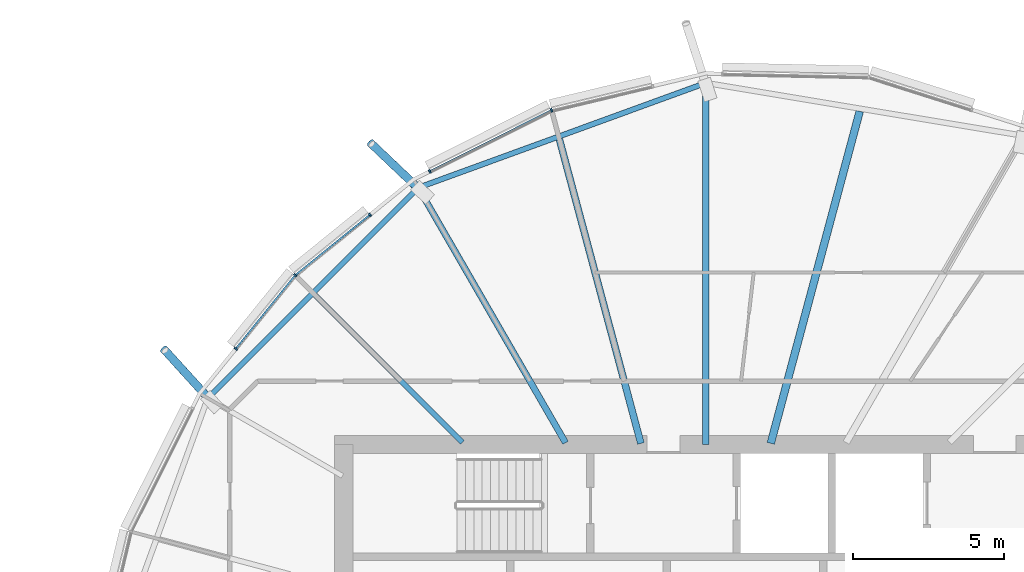
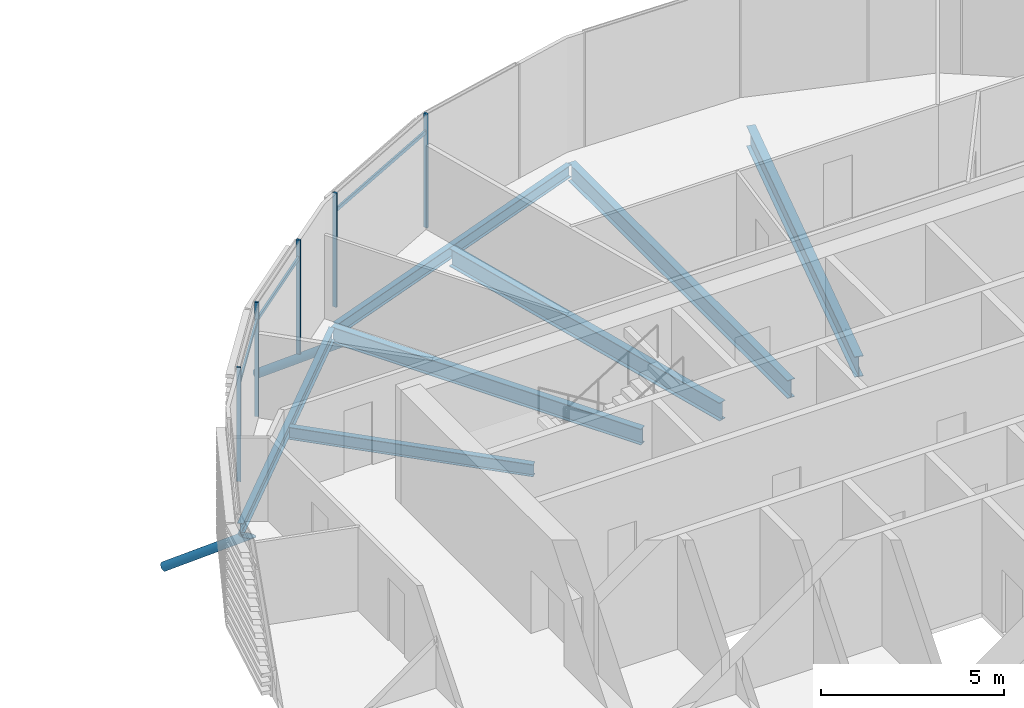
# One storey, part 15 of 35: 10 members, 7 beams, 1 element without a shape of its own.
"""IFC4 building model written with IfcOpenShell, lengths in metres."""

import ifcopenshell
import ifcopenshell.guid

model = None  # the IFC model being written
_history = None  # IfcOwnerHistory: only IFC2X3 demands one
_inside = {}  # id of a spatial element -> (the spatial element, [elements in it])
_under = {}  # id of a project, library or spatial element -> (it, [spatial elements below it])
_declared = {}  # id of a project -> (the project, [libraries it declares])
_typed = {}  # id of a type object -> (the type object, [elements of that type])
_made_of = {}  # id of a material, layer set ... -> (it, [elements and type objects made of it])


def new_model(schema):
    """Start an empty IFC model of exactly this schema.

    Asked for "IFC4X3", IfcOpenShell would pick the latest addendum, in which some entities
    have other attributes; the version numbers below select the first issue.
    IFC2X3 requires an IfcOwnerHistory on every rooted entity: one is made here for all.
    """
    global model, _history
    if schema == "IFC4X3":
        model = ifcopenshell.file(schema_version=(4, 3, 0, 0))
    else:
        model = ifcopenshell.file(schema=schema)
    _inside.clear()
    _under.clear()
    _declared.clear()
    _typed.clear()
    _made_of.clear()
    _history = None
    if model.schema == "IFC2X3":
        org = make("IfcOrganization", Name="unknown")
        user = make(
            "IfcPersonAndOrganization",
            ThePerson=make("IfcPerson", FamilyName="unknown"),
            TheOrganization=org,
        )
        app = make(
            "IfcApplication",
            ApplicationDeveloper=org,
            Version="unknown",
            ApplicationFullName="unknown",
            ApplicationIdentifier="unknown",
        )
        _history = make(
            "IfcOwnerHistory",
            OwningUser=user,
            OwningApplication=app,
            ChangeAction="ADDED",
            CreationDate=0,
        )
    return model


def make(cls, **values):
    """One entity of the class cls with the attributes given. An attribute that is None is left unset."""
    return model.create_entity(
        cls, **{name: value for name, value in values.items() if value is not None}
    )


def rooted(cls, **values):
    """An entity with a GlobalId (a new one), such as an element, a storey or a relation."""
    return make(cls, GlobalId=ifcopenshell.guid.new(), OwnerHistory=_history, **values)


def si_unit(unit_type, name, prefix=None):
    """IfcSIUnit, for example si_unit("LENGTHUNIT", "METRE", prefix="MILLI")."""
    return make("IfcSIUnit", UnitType=unit_type, Prefix=prefix, Name=name)


def assignment(units):
    """IfcUnitAssignment: the units of a project."""
    return None if units is None else make("IfcUnitAssignment", Units=units)


def point(xyz):
    """IfcCartesianPoint."""
    return None if xyz is None else make("IfcCartesianPoint", Coordinates=xyz)


def direction(xyz):
    """IfcDirection."""
    return None if xyz is None else make("IfcDirection", DirectionRatios=xyz)


def frame(location, z_axis=None, x_axis=None):
    """IfcAxis2Placement3D, a coordinate frame: its origin and axes. An axis left out is left unset."""
    return make(
        "IfcAxis2Placement3D",
        Location=point(location),
        Axis=direction(z_axis),
        RefDirection=direction(x_axis),
    )


def frame_2d(location, x_axis=None):
    """IfcAxis2Placement2D, a coordinate frame in the plane: its origin and x axis."""
    return make(
        "IfcAxis2Placement2D", Location=point(location), RefDirection=direction(x_axis)
    )


def origin():
    """The frame at (0, 0, 0) with its axes left unset."""
    return frame((0.0, 0.0, 0.0))


def origin_2d():
    """The frame at (0, 0) in the plane with its x axis left unset."""
    return frame_2d((0.0, 0.0))


def place(relative_to, where):
    """IfcLocalPlacement: puts the frame where relative to a parent placement (None: the world)."""
    return make(
        "IfcLocalPlacement", PlacementRelTo=relative_to, RelativePlacement=where
    )


def context(
    kind, dimensions, precision=None, world=None, true_north=None, identifier=None
):
    """IfcGeometricRepresentationContext, for example the 3D "Model" context."""
    return make(
        "IfcGeometricRepresentationContext",
        ContextIdentifier=identifier,
        ContextType=kind,
        CoordinateSpaceDimension=dimensions,
        Precision=precision,
        WorldCoordinateSystem=world,
        TrueNorth=true_north,
    )


def subcontext(parent, identifier, kind, view, scale=None):
    """IfcGeometricRepresentationSubContext, for example "Body" below "Model"."""
    return make(
        "IfcGeometricRepresentationSubContext",
        ContextIdentifier=identifier,
        ContextType=kind,
        ParentContext=parent,
        TargetScale=scale,
        TargetView=view,
    )


def project(units=None, contexts=None):
    """IfcProject with its units and contexts."""
    return rooted(
        "IfcProject",
        Name="project",
        RepresentationContexts=contexts,
        UnitsInContext=assignment(units),
    )


def spatial(cls, under=None, at=None, **own):
    """A site, building, storey or space (cls), placed at a placement, below another one or the project."""
    s = rooted(cls, ObjectPlacement=at, **own)
    if under is not None:
        _under.setdefault(under.id(), (under, []))[1].append(s)
    return s


def profile(cls, at=None, kind="AREA", **sizes):
    """A parametric profile (cls). Its sizes go by their IFC names, for example OverallWidth=200.0."""
    return make(cls, ProfileType=kind, Position=at, **sizes)


def rectangle(**sizes):
    """IfcRectangleProfileDef."""
    return profile("IfcRectangleProfileDef", **sizes)


def hollow_circle(**sizes):
    """IfcCircleHollowProfileDef."""
    return profile("IfcCircleHollowProfileDef", **sizes)


def i_section(**sizes):
    """IfcIShapeProfileDef."""
    return profile("IfcIShapeProfileDef", **sizes)


def extrude(swept, where, along, depth):
    """IfcExtrudedAreaSolid: the profile swept, set in the frame where, extruded along a direction by depth."""
    return make(
        "IfcExtrudedAreaSolid",
        SweptArea=swept,
        Position=where,
        ExtrudedDirection=direction(along),
        Depth=depth,
    )


def clip(a, b, op="DIFFERENCE"):
    """IfcBooleanClippingResult: the solid a cut by the half space b."""
    return make(
        "IfcBooleanClippingResult", Operator=op, FirstOperand=a, SecondOperand=b
    )


def halfspace(plane, agree):
    """IfcHalfSpaceSolid: all space on one side of the plane z = 0 of the frame plane."""
    return make(
        "IfcHalfSpaceSolid",
        BaseSurface=make("IfcPlane", Position=plane),
        AgreementFlag=agree,
    )


def shape(context_of_items, identifier, shape_type, items):
    """IfcShapeRepresentation: the items that make up one representation, for example the "Body"."""
    return make(
        "IfcShapeRepresentation",
        ContextOfItems=context_of_items,
        RepresentationIdentifier=identifier,
        RepresentationType=shape_type,
        Items=items,
    )


def material(Name=None, Category=None):
    """IfcMaterial."""
    return make("IfcMaterial", Name=Name, Category=Category)


def material_profile(
    of_material, cross_section, Name=None, Category=None, Priority=None
):
    """IfcMaterialProfile: a cross section and its material."""
    return make(
        "IfcMaterialProfile",
        Name=Name,
        Material=of_material,
        Profile=cross_section,
        Priority=Priority,
        Category=Category,
    )


def profile_set(profiles, Name=None, composite=None):
    """IfcMaterialProfileSet."""
    return make(
        "IfcMaterialProfileSet",
        Name=Name,
        MaterialProfiles=profiles,
        CompositeProfile=composite,
    )


def made_of(thing, what):
    """Note that an element or type object is made of a material, layer set ...; save() writes the relation."""
    if what is not None:
        _made_of.setdefault(what.id(), (what, []))[1].append(thing)
    return thing


def type_object(cls, material=None, **own):
    """A type object (cls), such as IfcWallType, which elements share."""
    return made_of(rooted(cls, **own), material)


def element(
    cls,
    number,
    at=None,
    inside=None,
    cuts=None,
    type_object=None,
    material=None,
    context=None,
    identifier="Body",
    shape_type=None,
    held_by="IfcProductDefinitionShape",
    body=None,
    shapes=None,
    **own,
):
    """One element of the class cls, such as IfcWall. Its Tag is "e" and its number.

    at: its placement. inside: the storey or other place that contains it. cuts: it is an
    opening in that element (IfcRelVoidsElement). A single representation is given by context,
    identifier, shape_type and body (its items); several are given by shapes. held_by: the class
    of the entity that holds the representations. save() writes the other relations.
    """
    e = rooted(cls, Tag="e%d" % number, ObjectPlacement=at, **own)
    if body is not None:
        shapes = [shape(context, identifier, shape_type, body)]
    if shapes is not None:
        e.Representation = make(held_by, Representations=shapes)
    if inside is not None:
        _inside.setdefault(inside.id(), (inside, []))[1].append(e)
    if cuts is not None:
        rooted(
            "IfcRelVoidsElement", RelatingBuildingElement=cuts, RelatedOpeningElement=e
        )
    if type_object is not None:
        _typed.setdefault(type_object.id(), (type_object, []))[1].append(e)
    return made_of(e, material)


def aggregate(whole, parts):
    """IfcRelAggregates: a whole, such as a stair, and the parts it consists of."""
    return rooted("IfcRelAggregates", RelatingObject=whole, RelatedObjects=parts)


def save(model, path):
    """Write the relations noted so far, then the file.

    IfcRelAggregates (storeys below a building ...), IfcRelContainedInSpatialStructure (elements
    in a storey), IfcRelDefinesByType, IfcRelAssociatesMaterial and IfcRelDeclares: one each for
    every whole, place, type object, material and project.
    """
    for whole, parts in _under.values():
        aggregate(whole, parts)
    for where, things in _inside.values():
        rooted(
            "IfcRelContainedInSpatialStructure",
            RelatedElements=things,
            RelatingStructure=where,
        )
    for kind, things in _typed.values():
        rooted("IfcRelDefinesByType", RelatedObjects=things, RelatingType=kind)
    for what, things in _made_of.values():
        rooted("IfcRelAssociatesMaterial", RelatedObjects=things, RelatingMaterial=what)
    for by, libraries in _declared.values():
        rooted("IfcRelDeclares", RelatingContext=by, RelatedDefinitions=libraries)
    model.write(path)


model = new_model("IFC4")

# Units and contexts
model_context = context("Model", 3, precision=1e-05, world=origin(), true_north=direction((0.0, 1.0)))
body_context = subcontext(model_context, "Body", "Model", "MODEL_VIEW")
ifc_project = project(units=[si_unit("LENGTHUNIT", "METRE"), si_unit("AREAUNIT", "SQUARE_METRE"), si_unit("VOLUMEUNIT", "CUBIC_METRE"), si_unit("PLANEANGLEUNIT", "RADIAN"), si_unit("MASSUNIT", "GRAM", prefix="KILO")], contexts=[model_context])

# Site, building, storey
site_placement = place(None, origin())
site = spatial("IfcSite", under=ifc_project, at=site_placement, CompositionType="ELEMENT")
building_placement = place(site_placement, origin())
building = spatial("IfcBuilding", under=site, at=building_placement, Name="Rimbun Link Towers", CompositionType="ELEMENT")
storey_placement = place(building_placement, frame((0.0, 0.0, 196.89990234375)))
storey = spatial("IfcBuildingStorey", under=building, at=storey_placement, Name="L48", CompositionType="ELEMENT", Elevation=196.89990234375)

# Curtain wall, members
ifc_material_1 = material(Name="Aluminium 6063-T6 and low-iron glass", Category="aluminium")
curtain_wall_type = type_object("IfcCurtainWallType", Name="CW1-Z3 unitised vision wall (zone 3)", PredefinedType="NOTDEFINED", material=ifc_material_1)
curtain_wall_placement = place(storey_placement, origin())
curtain_wall = element("IfcCurtainWall", 1, at=curtain_wall_placement, inside=storey, type_object=curtain_wall_type, Name="CW1 L48 T2", PredefinedType="NOTDEFINED")
ifc_material_2 = material(Name="Aluminium 6063-T6", Category="aluminium")
ifc_material_profile_1 = material_profile(ifc_material_2, rectangle(XDim=0.1201171875, YDim=0.06005859375, at=origin_2d()), Name="MULLION 60X120")
ifc_profile_set_1 = profile_set([ifc_material_profile_1], Name="Aluminium 6063-T6")
member_type_1 = type_object("IfcMemberType", Name="CW1 mullion 60X120", PredefinedType="MULLION", material=ifc_profile_set_1)
member_1_placement = place(storey_placement, frame((26.634033203125, 19.07275390625, 0.0), z_axis=(0.0, 0.0, 1.0), x_axis=(-0.342971734757, 0.939345723979, 0.0)))
member_1 = element("IfcMember", 2, at=member_1_placement, type_object=member_type_1, Name="CW1 mullion", PredefinedType="MULLION", context=body_context, shape_type="SweptSolid", body=[
    extrude(rectangle(XDim=0.1201171875, YDim=0.06005859375, at=origin_2d()), origin(), (0.0, 0.0, 1.0), 3.800048828125),
])
member_2_placement = place(storey_placement, frame((22.6025390625, 17.048583984375, 0.0), z_axis=(0.0, 0.0, 1.0), x_axis=(-0.448772432233, 0.893646073156, 0.0)))
member_2 = element("IfcMember", 3, at=member_2_placement, type_object=member_type_1, Name="CW1 mullion", PredefinedType="MULLION", context=body_context, shape_type="SweptSolid", body=[
    extrude(rectangle(XDim=0.1201171875, YDim=0.06005859375, at=origin_2d()), origin(), (0.0, 0.0, 1.0), 3.800048828125),
])
member_3_placement = place(storey_placement, frame((18.14404296875, 13.60595703125, 0.0), z_axis=(0.0, 0.0, 1.0), x_axis=(-0.707106781187, 0.707106781187, 0.0)))
member_3 = element("IfcMember", 4, at=member_3_placement, type_object=member_type_1, Name="CW1 mullion", PredefinedType="MULLION", context=body_context, shape_type="SweptSolid", body=[
    extrude(rectangle(XDim=0.1201171875, YDim=0.06005859375, at=origin_2d()), origin(), (0.0, 0.0, 1.0), 3.800048828125),
])
member_4_placement = place(storey_placement, frame((20.61767578125, 15.6083984375, 0.0), z_axis=(0.0, 0.0, 1.0), x_axis=(-0.629156447139, 0.777278691991, 0.0)))
member_4 = element("IfcMember", 5, at=member_4_placement, type_object=member_type_1, Name="CW1 mullion", PredefinedType="MULLION", context=body_context, shape_type="SweptSolid", body=[
    extrude(rectangle(XDim=0.1201171875, YDim=0.06005859375, at=origin_2d()), origin(), (0.0, 0.0, 1.0), 3.800048828125),
])
member_5_placement = place(storey_placement, frame((16.1728515625, 11.17138671875, 0.0), z_axis=(0.0, 0.0, 1.0), x_axis=(-0.777278691991, 0.629156447139, 0.0)))
member_5 = element("IfcMember", 6, at=member_5_placement, type_object=member_type_1, Name="CW1 mullion", PredefinedType="MULLION", context=body_context, shape_type="SweptSolid", body=[
    extrude(rectangle(XDim=0.1201171875, YDim=0.06005859375, at=origin_2d()), origin(), (0.0, 0.0, 1.0), 3.800048828125),
])
ifc_material_3 = material(Name="Aluminium 6063-T6", Category="aluminium")
ifc_material_profile_2 = material_profile(ifc_material_3, rectangle(XDim=0.06005859375, YDim=0.1201171875, at=origin_2d()), Name="TRANSOM 60X120")
ifc_profile_set_2 = profile_set([ifc_material_profile_2], Name="Aluminium 6063-T6")
member_type_2 = type_object("IfcMemberType", Name="CW1 transom 60X120", PredefinedType="USERDEFINED", material=ifc_profile_set_2)
member_6_placement = place(storey_placement, frame((22.63037109375, 17.060302734375, 3.2001953125), z_axis=(0.893645737458, 0.448773100713, 0.0), x_axis=(-0.448773100713, 0.893645737458, 0.0)))
member_6 = element("IfcMember", 7, at=member_6_placement, type_object=member_type_2, Name="CW1 transom", ObjectType="TRANSOM", PredefinedType="USERDEFINED", context=body_context, shape_type="SweptSolid", body=[
    extrude(rectangle(XDim=0.06005859375, YDim=0.1201171875, at=origin_2d()), origin(), (0.0, 0.0, 1.0), 4.444091796875),
])
member_7_placement = place(storey_placement, frame((18.17333984375, 13.62744140625, 3.2001953125), z_axis=(0.777255817356, 0.629184706097, 0.0), x_axis=(-0.629184706097, 0.777255817356, 0.0)))
member_7 = element("IfcMember", 8, at=member_7_placement, type_object=member_type_2, Name="CW1 transom", ObjectType="TRANSOM", PredefinedType="USERDEFINED", context=body_context, shape_type="SweptSolid", body=[
    extrude(rectangle(XDim=0.06005859375, YDim=0.1201171875, at=origin_2d()), origin(), (0.0, 0.0, 1.0), 3.1162109375),
])
member_8_placement = place(storey_placement, frame((16.193359375, 11.193359375, 3.2001953125), z_axis=(0.629170742424, 0.777267120672, 0.0), x_axis=(-0.777267120672, 0.629170742424, 0.0)))
member_8 = element("IfcMember", 9, at=member_8_placement, type_object=member_type_2, Name="CW1 transom", ObjectType="TRANSOM", PredefinedType="USERDEFINED", context=body_context, shape_type="SweptSolid", body=[
    extrude(rectangle(XDim=0.06005859375, YDim=0.1201171875, at=origin_2d()), origin(), (0.0, 0.0, 1.0), 3.066162109375),
])
aggregate(curtain_wall, [member_1, member_2, member_3, member_4, member_5, member_6, member_7, member_8])

# Members
ifc_material_4 = material(Name="Steel S355J2H", Category="steel")
ifc_material_profile_3 = material_profile(ifc_material_4, hollow_circle(Radius=0.136474609375, WallThickness=0.012451171875, at=origin_2d()), Name="CHS 273x12.5")
ifc_profile_set_3 = profile_set([ifc_material_profile_3], Name="Steel S355J2H")
member_type_3 = type_object("IfcMemberType", Name="Floor edge link CHS 273x12.5", PredefinedType="BRACE", material=ifc_profile_set_3)
member_9_placement = place(storey_placement, frame((22.244873046875, 16.46337890625, -0.799560546875), z_axis=(-0.621443275022, 0.589922841634, -0.515557268253), x_axis=(-0.688474428478, -0.725260616146, 0.0)))
element("IfcMember", 10, at=member_9_placement, inside=storey, type_object=member_type_3, Name="Floor edge link T2 L48 05", PredefinedType="BRACE", context=body_context, shape_type="Clipping", body=[
    clip(extrude(hollow_circle(Radius=0.136474609375, WallThickness=0.012451171875, at=origin_2d()), frame((0.0, 0.0, -0.47314453125)), (0.0, 0.0, 1.0), 3.06005859375), halfspace(frame((0.0, 0.0, -0.22216796875), z_axis=(0.0, 0.856855123782, -0.515557268253)), False)),
])
member_10_placement = place(storey_placement, frame((15.28662109375, 9.505126953125, -0.567626953125), z_axis=(-0.564537431582, 0.621673116789, -0.542973318133), x_axis=(-0.740307418884, -0.672268492156, 0.0)))
element("IfcMember", 11, at=member_10_placement, inside=storey, type_object=member_type_3, Name="Floor edge link T2 L48 07", PredefinedType="BRACE", context=body_context, shape_type="Clipping", body=[
    clip(extrude(hollow_circle(Radius=0.136474609375, WallThickness=0.012451171875, at=origin_2d()), frame((0.0, 0.0, -0.440673828125)), (0.0, 0.0, 1.0), 3.08984375), halfspace(frame((0.0, 0.0, -0.206787109375), z_axis=(0.0, 0.839749948375, -0.542973318133)), False)),
])

# Beams
ifc_material_5 = material(Name="Steel S355J2", Category="steel")
ifc_material_profile_4 = material_profile(ifc_material_5, i_section(OverallWidth=0.177978515625, OverallDepth=0.406494140625, WebThickness=0.0078125, FlangeThickness=0.0126953125, at=origin_2d()), Name="UB 406x178x60")
ifc_profile_set_4 = profile_set([ifc_material_profile_4], Name="Steel S355J2")
beam_type_1 = type_object("IfcBeamType", Name="UB 406x178x60", PredefinedType="BEAM", material=ifc_profile_set_4)
beam_1_placement = place(storey_placement, frame((23.686279296875, 8.063720703125, -0.35302734375), z_axis=(-0.707106781187, 0.707106781187, 0.0), x_axis=(-0.707106781187, -0.707106781187, 0.0)))
element("IfcBeam", 12, at=beam_1_placement, inside=storey, type_object=beam_type_1, Name="Radial beam T2 L48 06", PredefinedType="BEAM", context=body_context, shape_type="SweptSolid", body=[
    extrude(i_section(OverallWidth=0.177978515625, OverallDepth=0.406494140625, WebThickness=0.0078125, FlangeThickness=0.0126953125, at=origin_2d()), origin(), (0.0, 0.0, 1.0), 6.9169921875),
])
beam_2_placement = place(storey_placement, frame((31.63525390625, 19.936279296875, -0.35302734375), z_axis=(-0.939599125816, -0.342276909483, 0.0), x_axis=(0.342276909483, -0.939599125816, 0.0)))
element("IfcBeam", 13, at=beam_2_placement, inside=storey, type_object=beam_type_1, Name="Edge beam T2 L48 03-05", PredefinedType="BEAM", context=body_context, shape_type="SweptSolid", body=[
    extrude(i_section(OverallWidth=0.177978515625, OverallDepth=0.406494140625, WebThickness=0.0078125, FlangeThickness=0.0126953125, at=origin_2d()), origin(), (0.0, 0.0, 1.0), 9.913330078125),
])
beam_3_placement = place(storey_placement, frame((22.142578125, 16.42919921875, -0.35302734375), z_axis=(-0.707119404149, -0.707094157999, 0.0), x_axis=(0.707094157999, -0.707119404149, 0.0)))
element("IfcBeam", 14, at=beam_3_placement, inside=storey, type_object=beam_type_1, Name="Edge beam T2 L48 05-07", PredefinedType="BEAM", context=body_context, shape_type="SweptSolid", body=[
    extrude(i_section(OverallWidth=0.177978515625, OverallDepth=0.406494140625, WebThickness=0.0078125, FlangeThickness=0.0126953125, at=origin_2d()), origin(), (0.0, 0.0, 1.0), 9.67041015625),
])
ifc_material_6 = material(Name="Steel S355J2", Category="steel")
ifc_material_profile_5 = material_profile(ifc_material_6, i_section(OverallWidth=0.209228515625, OverallDepth=0.533203125, WebThickness=0.010009765625, FlangeThickness=0.015625, at=origin_2d()), Name="UB 533x210x92")
ifc_profile_set_5 = profile_set([ifc_material_profile_5], Name="Steel S355J2")
beam_type_2 = type_object("IfcBeamType", Name="UB 533x210x92", PredefinedType="BEAM", material=ifc_profile_set_5)
beam_4_placement = place(storey_placement, frame((27.1005859375, 8.05322265625, -0.41650390625), z_axis=(-0.500004632045, 0.866022729456, 0.0), x_axis=(-0.866022729456, -0.500004632045, 0.0)))
element("IfcBeam", 15, at=beam_4_placement, inside=storey, type_object=beam_type_2, Name="Radial beam T2 L48 05", PredefinedType="BEAM", context=body_context, shape_type="SweptSolid", body=[
    extrude(i_section(OverallWidth=0.209228515625, OverallDepth=0.533203125, WebThickness=0.010009765625, FlangeThickness=0.015625, at=origin_2d()), origin(), (0.0, 0.0, 1.0), 9.76123046875),
])
ifc_material_7 = material(Name="Steel S355J2", Category="steel")
ifc_material_profile_6 = material_profile(ifc_material_7, i_section(OverallWidth=0.2275390625, OverallDepth=0.6025390625, WebThickness=0.010498046875, FlangeThickness=0.014892578125, at=origin_2d()), Name="UB 610x229x101")
ifc_profile_set_6 = profile_set([ifc_material_profile_6], Name="Steel S355J2")
beam_type_3 = type_object("IfcBeamType", Name="UB 610x229x101", PredefinedType="BEAM", material=ifc_profile_set_6)
beam_5_placement = place(storey_placement, frame((31.75, 8.0009765625, -0.451171875), z_axis=(0.0, 1.0, 0.0), x_axis=(-1.0, 0.0, 0.0)))
element("IfcBeam", 16, at=beam_5_placement, inside=storey, type_object=beam_type_3, Name="Radial beam T2 L48 03", PredefinedType="BEAM", context=body_context, shape_type="SweptSolid", body=[
    extrude(i_section(OverallWidth=0.2275390625, OverallDepth=0.6025390625, WebThickness=0.010498046875, FlangeThickness=0.014892578125, at=origin_2d()), origin(), (0.0, 0.0, 1.0), 11.97705078125),
])
beam_6_placement = place(storey_placement, frame((29.598388671875, 8.030517578125, -0.451171875), z_axis=(-0.258838562818, 0.965920596322, 0.0), x_axis=(-0.965920596322, -0.258838562818, 0.0)))
element("IfcBeam", 17, at=beam_6_placement, inside=storey, type_object=beam_type_3, Name="Radial beam T2 L48 04", PredefinedType="BEAM", context=body_context, shape_type="SweptSolid", body=[
    extrude(i_section(OverallWidth=0.2275390625, OverallDepth=0.6025390625, WebThickness=0.010498046875, FlangeThickness=0.014892578125, at=origin_2d()), origin(), (0.0, 0.0, 1.0), 10.439453125),
])
ifc_material_8 = material(Name="Steel S355J2", Category="steel")
ifc_material_profile_7 = material_profile(ifc_material_8, i_section(OverallWidth=0.253662109375, OverallDepth=0.68359375, WebThickness=0.012451171875, FlangeThickness=0.01904296875, at=origin_2d()), Name="UB 686x254x140")
ifc_profile_set_7 = profile_set([ifc_material_profile_7], Name="Steel S355J2")
beam_type_4 = type_object("IfcBeamType", Name="UB 686x254x140", PredefinedType="BEAM", material=ifc_profile_set_7)
beam_7_placement = place(storey_placement, frame((33.902587890625, 8.03369140625, -0.49169921875), z_axis=(0.258828204443, 0.965923372005, 0.0), x_axis=(-0.965923372005, 0.258828204443, 0.0)))
element("IfcBeam", 18, at=beam_7_placement, inside=storey, type_object=beam_type_4, Name="Radial beam T2 L48 02", PredefinedType="BEAM", context=body_context, shape_type="SweptSolid", body=[
    extrude(i_section(OverallWidth=0.253662109375, OverallDepth=0.68359375, WebThickness=0.012451171875, FlangeThickness=0.01904296875, at=origin_2d()), origin(), (0.0, 0.0, 1.0), 11.392578125),
])

save(model, "model.ifc")
